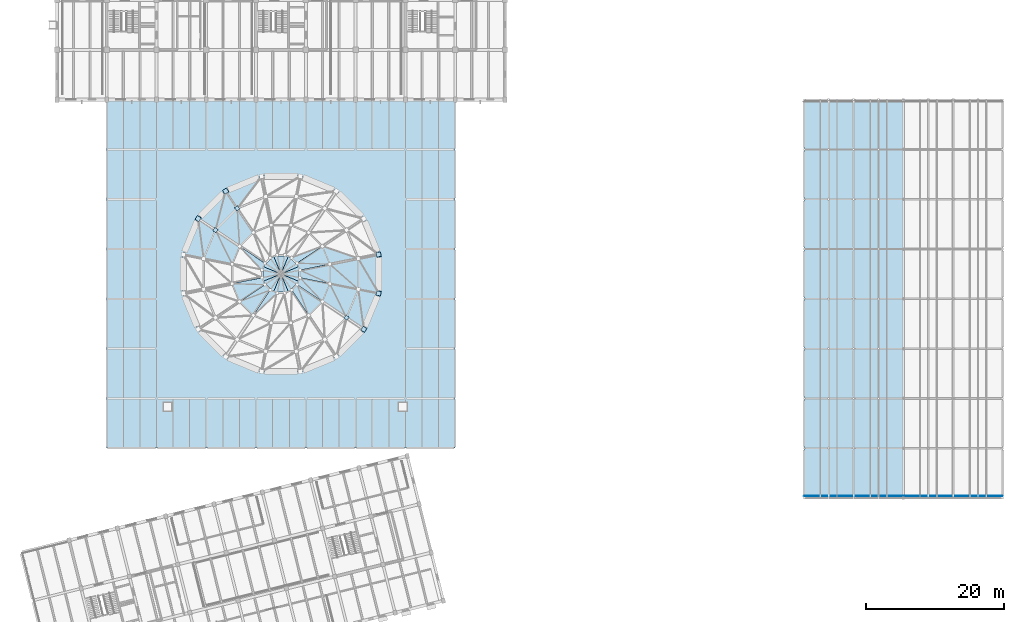
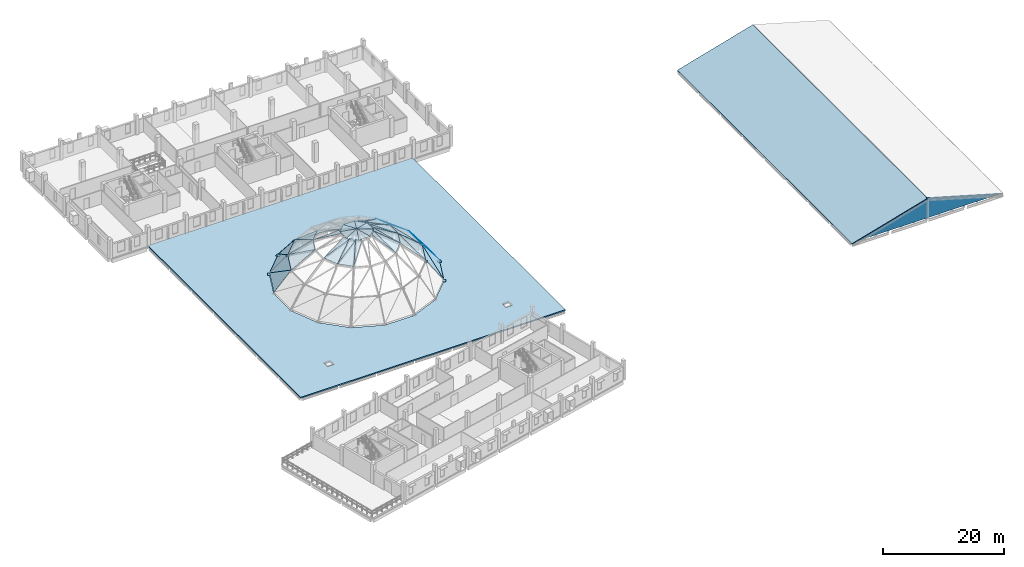
# One storey, part 15 of 32: 50 plates, 2 slabs, 2 openings.
"""IFC4 building model written with IfcOpenShell, lengths in metres."""

from ifc_helpers import new_model, si_unit, direction, frame, origin, origin_2d, place, context, subcontext, project, spatial, polyline, rectangle, outline, extrude, material, layer, layer_set, type_object, element, save


model = new_model("IFC4")

# Units and contexts
model_context = context("Model", 3, precision=1e-05, world=origin(), true_north=direction((0.0, 1.0)))
body_context = subcontext(model_context, "Body", "Model", "MODEL_VIEW")
ifc_project = project(units=[si_unit("LENGTHUNIT", "METRE"), si_unit("AREAUNIT", "SQUARE_METRE"), si_unit("VOLUMEUNIT", "CUBIC_METRE"), si_unit("PLANEANGLEUNIT", "RADIAN"), si_unit("MASSUNIT", "GRAM", prefix="KILO")], contexts=[model_context])

# Site, building, storey
site_placement = place(None, origin())
site = spatial("IfcSite", under=ifc_project, at=site_placement, CompositionType="ELEMENT")
building_placement = place(site_placement, origin())
building = spatial("IfcBuilding", under=site, at=building_placement, Name="Qiaolan Assembly House", CompositionType="ELEMENT")
storey_placement = place(building_placement, frame((0.0, 0.0, 18.60009765625)))
storey = spatial("IfcBuildingStorey", under=building, at=storey_placement, Name="L04", CompositionType="ELEMENT", Elevation=18.60009765625)

# Plates
ifc_material_1 = material(Name="Low-E tempered safety skylight glass", Category="glass")
ifc_layer_1 = layer(ifc_material_1, 0.037109375)
ifc_layer_set_1 = layer_set([ifc_layer_1], Name="Low-E tempered safety skylight glass")
plate_type_1 = type_object("IfcPlateType", Name="PLT-DOME-GLAZ-CROWN", PredefinedType="SHEET", material=ifc_layer_set_1)
plate_1_placement = place(storey_placement, frame((70.98681640625, 62.271484375, 9.47998046875), z_axis=(0.092101540176, 0.092101540176, 0.991481019785), x_axis=(-0.707106781187, 0.707106781187, 0.0)))
element("IfcPlate", 1, at=plate_1_placement, inside=storey, type_object=plate_type_1, Name="DP-03 Council Chamber Dome Daylight Oculus Glazing 1", PredefinedType="SHEET", context=body_context, shape_type="SweptSolid", body=[
    extrude(outline(polyline([(0.0, 0.0), (2.143072163488721, 0.0), (1.0715360817443607, 2.609140082880485), (0.0, 0.0)])), origin(), (0.0, 0.0, -1.0), 0.037109375),
])
plate_2_placement = place(storey_placement, frame((69.471435546875, 63.786865234375, 9.47998046875), z_axis=(0.0, 0.130251188216, 0.991481027538), x_axis=(-1.0, 0.0, 0.0)))
element("IfcPlate", 2, at=plate_2_placement, inside=storey, type_object=plate_type_1, Name="DP-03 Council Chamber Dome Daylight Oculus Glazing 2", PredefinedType="SHEET", context=body_context, shape_type="SweptSolid", body=[
    extrude(outline(polyline([(0.0, 0.0), (2.14306640625, 0.0), (1.071533203125, 2.6091412650859507), (0.0, 0.0)])), origin(), (0.0, 0.0, -1.0), 0.037109375),
])
plate_3_placement = place(storey_placement, frame((67.328369140625, 63.786865234375, 9.47998046875), z_axis=(-0.092111981509, 0.092097141492, 0.991480458401), x_axis=(-0.707049813873, -0.707163743911, 0.0)))
element("IfcPlate", 3, at=plate_3_placement, inside=storey, type_object=plate_type_1, Name="DP-03 Council Chamber Dome Daylight Oculus Glazing 3", PredefinedType="SHEET", context=body_context, shape_type="SweptSolid", body=[
    extrude(outline(polyline([(0.0, 0.0), (2.1428995369509583, 0.0), (1.0717444817846324, 2.6090544862723415), (0.0, 0.0)])), origin(), (0.0, 0.0, -1.0), 0.037109375),
])
plate_4_placement = place(storey_placement, frame((65.813232421875, 62.271484375, 9.47998046875), z_axis=(-0.130263273267, 0.0, 0.991479439846), x_axis=(0.0, -1.0, 0.0)))
element("IfcPlate", 4, at=plate_4_placement, inside=storey, type_object=plate_type_1, Name="DP-03 Council Chamber Dome Daylight Oculus Glazing 4", PredefinedType="SHEET", context=body_context, shape_type="SweptSolid", body=[
    extrude(outline(polyline([(0.0, 0.0), (2.14306640625, 0.0), (1.071533203125, 2.608899204482013), (0.0, 0.0)])), origin(), (0.0, 0.0, -1.0), 0.037109375),
])
plate_5_placement = place(storey_placement, frame((65.813232421875, 60.12841796875, 9.47998046875), z_axis=(-0.092111981509, -0.092097141492, 0.991480458401), x_axis=(0.707049813873, -0.707163743911, 0.0)))
element("IfcPlate", 5, at=plate_5_placement, inside=storey, type_object=plate_type_1, Name="DP-03 Council Chamber Dome Daylight Oculus Glazing 5", PredefinedType="SHEET", context=body_context, shape_type="SweptSolid", body=[
    extrude(outline(polyline([(0.0, 0.0), (2.1428995369509583, 0.0), (1.0711550551663258, 2.6090544862723415), (0.0, 0.0)])), origin(), (0.0, 0.0, -1.0), 0.037109375),
])
plate_6_placement = place(storey_placement, frame((67.328369140625, 58.613037109375, 9.47998046875), z_axis=(0.0, -0.130251188216, 0.991481027538), x_axis=(1.0, 0.0, 0.0)))
element("IfcPlate", 6, at=plate_6_placement, inside=storey, type_object=plate_type_1, Name="DP-03 Council Chamber Dome Daylight Oculus Glazing 6", PredefinedType="SHEET", context=body_context, shape_type="SweptSolid", body=[
    extrude(outline(polyline([(0.0, 0.0), (2.14306640625, 0.0), (1.071533203125, 2.6091412650859507), (0.0, 0.0)])), origin(), (0.0, 0.0, -1.0), 0.037109375),
])
plate_7_placement = place(storey_placement, frame((69.471435546875, 58.613037109375, 9.47998046875), z_axis=(0.092101540176, -0.092101540176, 0.991481019785), x_axis=(0.707106781187, 0.707106781187, 0.0)))
element("IfcPlate", 7, at=plate_7_placement, inside=storey, type_object=plate_type_1, Name="DP-03 Council Chamber Dome Daylight Oculus Glazing 7", PredefinedType="SHEET", context=body_context, shape_type="SweptSolid", body=[
    extrude(outline(polyline([(0.0, 0.0), (2.143072163488721, 0.0), (1.0715360817443607, 2.609140082880485), (0.0, 0.0)])), origin(), (0.0, 0.0, -1.0), 0.037109375),
])
plate_8_placement = place(storey_placement, frame((70.98681640625, 60.12841796875, 9.47998046875), z_axis=(0.130251188216, 0.0, 0.991481027538), x_axis=(0.0, 1.0, 0.0)))
element("IfcPlate", 8, at=plate_8_placement, inside=storey, type_object=plate_type_1, Name="DP-03 Council Chamber Dome Daylight Oculus Glazing 8", PredefinedType="SHEET", context=body_context, shape_type="SweptSolid", body=[
    extrude(outline(polyline([(0.0, 0.0), (2.14306640625, 0.0), (1.071533203125, 2.6091412650859507), (0.0, 0.0)])), origin(), (0.0, 0.0, -1.0), 0.037109375),
])
ifc_material_2 = material(Name="Patinated standing-seam zinc")
ifc_layer_2 = layer(ifc_material_2, 0.054931640625)
ifc_layer_set_2 = layer_set([ifc_layer_2], Name="Patinated standing-seam zinc")
plate_type_2 = type_object("IfcPlateType", Name="PLT-DOME-ZINC-LOWER", PredefinedType="SHEET", material=ifc_layer_set_2)
plate_9_placement = place(storey_placement, frame((65.5908203125, 75.3232421875, 0.27978515625), z_axis=(-0.302585775262, 0.73050740929, 0.612209746396), x_axis=(-0.923879667137, -0.38268310735, 0.0)))
element("IfcPlate", 9, at=plate_9_placement, inside=storey, type_object=plate_type_2, Name="DP-01 dome standing-seam cladding facet T0-5A", PredefinedType="SHEET", context=body_context, shape_type="SweptSolid", body=[
    extrude(outline(polyline([(0.0, 0.0), (5.618608303001892, 2.220446049250313e-16), (5.033518141849056, 4.805957888702828), (0.0, 0.0)])), origin(), (0.0, 0.0, -1.0), 0.054931640625),
])
plate_10_placement = place(storey_placement, frame((60.39990234375, 73.173095703125, 0.27978515625), z_axis=(-0.559082282879, 0.559116639315, 0.612221842645), x_axis=(-0.707128506566, -0.70708505514, 0.0)))
element("IfcPlate", 10, at=plate_10_placement, inside=storey, type_object=plate_type_2, Name="DP-01 dome standing-seam cladding facet T0-6A", PredefinedType="SHEET", context=body_context, shape_type="SweptSolid", body=[
    extrude(outline(polyline([(0.0, 0.0), (5.618702250522808, 2.220446049250313e-16), (5.033384311034712, 4.806014816518079), (0.0, 0.0)])), origin(), (0.0, 0.0, -1.0), 0.054931640625),
])
plate_11_placement = place(storey_placement, frame((60.39990234375, 73.173095703125, 0.27978515625), z_axis=(-0.559110475923, 0.559110475923, 0.612201724456), x_axis=(-0.212484924958, -0.810368460713, 0.546033986623)))
element("IfcPlate", 11, at=plate_11_placement, inside=storey, type_object=plate_type_2, Name="DP-01 dome standing-seam cladding facet T0-6B", PredefinedType="SHEET", context=body_context, shape_type="SweptSolid", body=[
    extrude(outline(polyline([(0.0, 0.0), (6.959363192071649, 0.0), (3.7422195964661333, 3.071702169235753), (0.0, 0.0)])), origin(), (0.0, 0.0, -1.0), 0.054931640625),
])
plate_12_placement = place(storey_placement, frame((56.4267578125, 69.2001953125, 0.27978515625), z_axis=(-0.730497964961, 0.302581863297, 0.612222948926), x_axis=(-0.38268310735, -0.923879667137, 0.0)))
element("IfcPlate", 12, at=plate_12_placement, inside=storey, type_object=plate_type_2, Name="DP-01 dome standing-seam cladding facet T0-7A", PredefinedType="SHEET", context=body_context, shape_type="SweptSolid", body=[
    extrude(outline(polyline([(0.0, 0.0), (5.618608303001892, 2.220446049250313e-16), (5.033267178086251, 4.806020023093471), (0.0, 0.0)])), origin(), (0.0, 0.0, -1.0), 0.054931640625),
])
plate_13_placement = place(storey_placement, frame((56.4267578125, 69.2001953125, 0.27978515625), z_axis=(-0.730499362406, 0.302580890844, 0.612221762126), x_axis=(0.113838801187, -0.829988350475, 0.546040351458)))
element("IfcPlate", 13, at=plate_13_placement, inside=storey, type_object=plate_type_2, Name="DP-01 dome standing-seam cladding facet T0-7B", PredefinedType="SHEET", context=body_context, shape_type="SweptSolid", body=[
    extrude(outline(polyline([(0.0, 0.0), (6.959282071332912, 0.0), (3.7423192311680897, 3.0717132481576748), (0.0, 0.0)])), origin(), (0.0, 0.0, -1.0), 0.054931640625),
])
plate_14_placement = place(storey_placement, frame((80.373046875, 53.19970703125, 0.27978515625), z_axis=(0.730510260267, -0.302586956174, 0.612205760834), x_axis=(0.38268310735, 0.923879667137, 0.0)))
element("IfcPlate", 14, at=plate_14_placement, inside=storey, type_object=plate_type_2, Name="DP-01 dome standing-seam cladding facet T0-15A", PredefinedType="SHEET", context=body_context, shape_type="SweptSolid", body=[
    extrude(outline(polyline([(0.0, 0.0), (5.618608303001892, 2.220446049250313e-16), (5.033586163138615, 4.805939132394558), (0.0, 0.0)])), origin(), (0.0, 0.0, -1.0), 0.054931640625),
])
plate_15_placement = place(storey_placement, frame((80.373046875, 53.19970703125, 0.27978515625), z_axis=(0.730488756682, -0.30260191887, 0.612224023588), x_axis=(-0.113800860718, 0.830002578479, 0.546026632884)))
element("IfcPlate", 15, at=plate_15_placement, inside=storey, type_object=plate_type_2, Name="DP-01 dome standing-seam cladding facet T0-15B", PredefinedType="SHEET", context=body_context, shape_type="SweptSolid", body=[
    extrude(outline(polyline([(0.0, 0.0), (6.95945691889977, -4.440892098500626e-16), (3.742196176284966, 3.071863161841048), (0.0, 0.0)])), origin(), (0.0, 0.0, -1.0), 0.054931640625),
])
plate_16_placement = place(storey_placement, frame((82.523193359375, 58.390625, 0.27978515625), z_axis=(0.79070704931, 0.0, 0.612194709363), x_axis=(0.0, 1.0, 0.0)))
element("IfcPlate", 16, at=plate_16_placement, inside=storey, type_object=plate_type_2, Name="DP-01 dome standing-seam cladding facet T0-16A", PredefinedType="SHEET", context=body_context, shape_type="SweptSolid", body=[
    extrude(outline(polyline([(0.0, 0.0), (5.61865234375, 0.0), (5.033447265625, 4.805887125253419), (0.0, 0.0)])), origin(), (0.0, 0.0, -1.0), 0.054931640625),
])
plate_17_placement = place(storey_placement, frame((82.523193359375, 58.390625, 0.27978515625), z_axis=(0.79070704931, 0.0, 0.612194709363), x_axis=(-0.422762344858, 0.723267053684, 0.546037332812)))
element("IfcPlate", 17, at=plate_17_placement, inside=storey, type_object=plate_type_2, Name="DP-01 dome standing-seam cladding facet T0-16B", PredefinedType="SHEET", context=body_context, shape_type="SweptSolid", body=[
    extrude(outline(polyline([(0.0, 0.0), (6.959320544169838, 0.0), (3.742230102013891, 3.0716470682669046), (0.0, 0.0)])), origin(), (0.0, 0.0, -1.0), 0.054931640625),
])
ifc_layer_3 = layer(ifc_material_2, 0.0458984375)
ifc_layer_set_3 = layer_set([ifc_layer_3], Name="Patinated standing-seam zinc")
plate_type_3 = type_object("IfcPlateType", Name="PLT-DOME-ZINC-MID", PredefinedType="SHEET", material=ifc_layer_set_3)
plate_18_placement = place(storey_placement, frame((79.5810546875, 63.424072265625, 4.079833984375), z_axis=(0.566759452362, 0.234785874161, 0.789721037109), x_axis=(-0.817482085104, 0.279512251216, 0.503583103325)))
element("IfcPlate", 18, at=plate_18_placement, inside=storey, type_object=plate_type_3, Name="DP-02 dome standing-seam cladding facet T1-1B", PredefinedType="SHEET", context=body_context, shape_type="SweptSolid", body=[
    extrude(outline(polyline([(0.0, 0.0), (6.354365646394442, 0.0), (4.749950156776227, 2.306144669414307), (0.0, 0.0)])), origin(), (0.0, 0.0, -1.0), 0.0458984375),
])
plate_19_placement = place(storey_placement, frame((62.06640625, 70.6787109375, 4.079833984375), z_axis=(-0.433794015714, 0.433794015714, 0.789712291826), x_axis=(-0.707106781187, -0.707106781187, 0.0)))
element("IfcPlate", 19, at=plate_19_placement, inside=storey, type_object=plate_type_3, Name="DP-02 dome standing-seam cladding facet T1-6A", PredefinedType="SHEET", context=body_context, shape_type="SweptSolid", body=[
    extrude(outline(polyline([(0.0, 0.0), (4.448074542005026, 0.0), (3.628583357851573, 5.216086647420347), (0.0, 0.0)])), origin(), (0.0, 0.0, -1.0), 0.0458984375),
])
plate_20_placement = place(storey_placement, frame((62.06640625, 70.6787109375, 4.079833984375), z_axis=(-0.433752714778, 0.43380602755, 0.789728379181), x_axis=(0.054598698225, -0.862206043743, 0.503606711914)))
element("IfcPlate", 20, at=plate_20_placement, inside=storey, type_object=plate_type_3, Name="DP-02 dome standing-seam cladding facet T1-6B", PredefinedType="SHEET", context=body_context, shape_type="SweptSolid", body=[
    extrude(outline(polyline([(0.0, 0.0), (6.354067759968746, -4.440892098500626e-16), (4.7499079053684525, 2.30621767134094), (0.0, 0.0)])), origin(), (0.0, 0.0, -1.0), 0.0458984375),
])
plate_21_placement = place(storey_placement, frame((58.921142578125, 67.533447265625, 4.079833984375), z_axis=(-0.566766352197, 0.234760872595, 0.789723517895), x_axis=(-0.382681432714, -0.923880360791, 0.0)))
element("IfcPlate", 21, at=plate_21_placement, inside=storey, type_object=plate_type_3, Name="DP-02 dome standing-seam cladding facet T1-7A", PredefinedType="SHEET", context=body_context, shape_type="SweptSolid", body=[
    extrude(outline(polyline([(0.0, 0.0), (4.447951460381362, -2.220446049250313e-16), (3.6285077779196544, 5.21620952219139), (0.0, 0.0)])), origin(), (0.0, 0.0, -1.0), 0.0458984375),
])
plate_22_placement = place(storey_placement, frame((58.921142578125, 67.533447265625, 4.079833984375), z_axis=(-0.566787286354, 0.234744090096, 0.789713482342), x_axis=(0.38041998698, -0.775671012741, 0.503602138101)))
element("IfcPlate", 22, at=plate_22_placement, inside=storey, type_object=plate_type_3, Name="DP-02 dome standing-seam cladding facet T1-7B", PredefinedType="SHEET", context=body_context, shape_type="SweptSolid", body=[
    extrude(outline(polyline([(0.0, 0.0), (6.354125468844909, 0.0), (4.749836080716411, 2.30611858338348), (0.0, 0.0)])), origin(), (0.0, 0.0, -1.0), 0.0458984375),
])
plate_23_placement = place(storey_placement, frame((77.878662109375, 54.866455078125, 4.079833984375), z_axis=(0.566761467462, -0.234778572602, 0.789721761665), x_axis=(0.38270887491, 0.923868993454, 0.0)))
element("IfcPlate", 23, at=plate_23_placement, inside=storey, type_object=plate_type_3, Name="DP-02 dome standing-seam cladding facet T1-15A", PredefinedType="SHEET", context=body_context, shape_type="SweptSolid", body=[
    extrude(outline(polyline([(0.0, 0.0), (4.448270447156563, 2.220446049250313e-16), (3.628704406063075, 5.216190298715421), (0.0, 0.0)])), origin(), (0.0, 0.0, -1.0), 0.0458984375),
])
plate_24_placement = place(storey_placement, frame((77.878662109375, 54.866455078125, 4.079833984375), z_axis=(0.566754775491, -0.234783936719, 0.789724969541), x_axis=(-0.38037578751, 0.775697653944, 0.503594489586)))
element("IfcPlate", 24, at=plate_24_placement, inside=storey, type_object=plate_type_3, Name="DP-02 dome standing-seam cladding facet T1-15B", PredefinedType="SHEET", context=body_context, shape_type="SweptSolid", body=[
    extrude(outline(polyline([(0.0, 0.0), (6.354221974324981, 4.440892098500626e-16), (4.7499087929564405, 2.3062158432553614), (0.0, 0.0)])), origin(), (0.0, 0.0, -1.0), 0.0458984375),
])
plate_25_placement = place(storey_placement, frame((79.5810546875, 58.97607421875, 4.079833984375), z_axis=(0.613460938515, 0.0, 0.789725064131), x_axis=(0.0, 1.0, 0.0)))
element("IfcPlate", 25, at=plate_25_placement, inside=storey, type_object=plate_type_3, Name="DP-02 dome standing-seam cladding facet T1-16A", PredefinedType="SHEET", context=body_context, shape_type="SweptSolid", body=[
    extrude(outline(polyline([(0.0, 0.0), (4.447998046875, 0.0), (3.628662109375, 5.216226447312992), (0.0, 0.0)])), origin(), (0.0, 0.0, -1.0), 0.0458984375),
])
plate_26_placement = place(storey_placement, frame((79.5810546875, 58.97607421875, 4.079833984375), z_axis=(0.613460938515, 0.0, 0.789725064131), x_axis=(-0.648290412816, 0.571062668505, 0.503594052082)))
element("IfcPlate", 26, at=plate_26_placement, inside=storey, type_object=plate_type_3, Name="DP-02 dome standing-seam cladding facet T1-16B", PredefinedType="SHEET", context=body_context, shape_type="SweptSolid", body=[
    extrude(outline(polyline([(0.0, 0.0), (6.354227494641764, -2.220446049250313e-16), (4.749926194231201, 2.306194024249222), (0.0, 0.0)])), origin(), (0.0, 0.0, -1.0), 0.0458984375),
])
plate_27_placement = place(storey_placement, frame((75.461669921875, 62.604736328125, 7.27978515625), z_axis=(0.4196283086, 0.173835299697, 0.890894702645), x_axis=(-0.382720195168, 0.923864304003, 0.0)))
element("IfcPlate", 27, at=plate_27_placement, inside=storey, type_object=plate_type_3, Name="DP-02 dome standing-seam cladding facet T2-1A", PredefinedType="SHEET", context=body_context, shape_type="SweptSolid", body=[
    extrude(outline(polyline([(0.0, 0.0), (2.809350868011128, 1.1102230246251565e-16), (1.9510522470659009, 4.844005681680728), (0.0, 0.0)])), origin(), (0.0, 0.0, -1.0), 0.0458984375),
])
plate_28_placement = place(storey_placement, frame((75.461669921875, 62.604736328125, 7.27978515625), z_axis=(0.419626154824, 0.173879923371, 0.890887008793), x_axis=(-0.906452317212, 0.028892028059, 0.421318700434)))
element("IfcPlate", 28, at=plate_28_placement, inside=storey, type_object=plate_type_3, Name="DP-02 dome standing-seam cladding facet T2-1B", PredefinedType="SHEET", context=body_context, shape_type="SweptSolid", body=[
    extrude(outline(polyline([(0.0, 0.0), (5.222163911151781, 5.551115123125783e-17), (4.813913798021777, 1.0133482242651404), (0.0, 0.0)])), origin(), (0.0, 0.0, -1.0), 0.0458984375),
])
plate_29_placement = place(storey_placement, frame((74.386474609375, 65.2001953125, 7.27978515625), z_axis=(0.321175309258, 0.321175309258, 0.890894405329), x_axis=(-0.848500028384, -0.320203685845, 0.421328021147)))
element("IfcPlate", 29, at=plate_29_placement, inside=storey, type_object=plate_type_3, Name="DP-02 dome standing-seam cladding facet T2-2B", PredefinedType="SHEET", context=body_context, shape_type="SweptSolid", body=[
    extrude(outline(polyline([(0.0, 0.0), (5.22204838527104, 0.0), (4.8139600972356, 1.0133389112705884), (0.0, 0.0)])), origin(), (0.0, 0.0, -1.0), 0.0458984375),
])
plate_30_placement = place(storey_placement, frame((62.413330078125, 65.2001953125, 7.27978515625), z_axis=(-0.419655650809, 0.173790632362, 0.890890538084), x_axis=(0.620527554505, -0.661388029351, 0.421321051849)))
element("IfcPlate", 30, at=plate_30_placement, inside=storey, type_object=plate_type_3, Name="DP-02 dome standing-seam cladding facet T2-7B", PredefinedType="SHEET", context=body_context, shape_type="SweptSolid", body=[
    extrude(outline(polyline([(0.0, 0.0), (5.222134765975998, 6.661338147750939e-16), (4.813971938821303, 1.0132826550931906), (0.0, 0.0)])), origin(), (0.0, 0.0, -1.0), 0.0458984375),
])
plate_31_placement = place(storey_placement, frame((61.33837890625, 59.79541015625, 7.27978515625), z_axis=(-0.419654794363, -0.173806797063, 0.890887788031), x_axis=(0.382646017682, -0.923895029293, 0.0)))
element("IfcPlate", 31, at=plate_31_placement, inside=storey, type_object=plate_type_3, Name="DP-02 dome standing-seam cladding facet T2-9A", PredefinedType="SHEET", context=body_context, shape_type="SweptSolid", body=[
    extrude(outline(polyline([(0.0, 0.0), (2.809257439518198, -1.1102230246251565e-16), (1.9508378940307016, 4.843861049595153), (0.0, 0.0)])), origin(), (0.0, 0.0, -1.0), 0.0458984375),
])
plate_32_placement = place(storey_placement, frame((61.33837890625, 59.79541015625, 7.27978515625), z_axis=(-0.419657560637, -0.173749393908, 0.890897682069), x_axis=(0.906442753488, -0.028939966186, 0.42133598589)))
element("IfcPlate", 32, at=plate_32_placement, inside=storey, type_object=plate_type_3, Name="DP-02 dome standing-seam cladding facet T2-9B", PredefinedType="SHEET", context=body_context, shape_type="SweptSolid", body=[
    extrude(outline(polyline([(0.0, 0.0), (5.221949670053437, 0.0), (4.813869407809825, 1.0135590771920748), (0.0, 0.0)])), origin(), (0.0, 0.0, -1.0), 0.0458984375),
])
plate_33_placement = place(storey_placement, frame((62.413330078125, 57.199951171875, 7.27978515625), z_axis=(-0.321175309258, -0.321175309258, 0.890894405329), x_axis=(0.707106781187, -0.707106781187, 0.0)))
element("IfcPlate", 33, at=plate_33_placement, inside=storey, type_object=plate_type_3, Name="DP-02 dome standing-seam cladding facet T2-10A", PredefinedType="SHEET", context=body_context, shape_type="SweptSolid", body=[
    extrude(outline(polyline([(0.0, 0.0), (2.809437440681122, 0.0), (1.9511037209400295, 4.843999462471798), (0.0, 0.0)])), origin(), (0.0, 0.0, -1.0), 0.0458984375),
])
plate_34_placement = place(storey_placement, frame((62.413330078125, 57.199951171875, 7.27978515625), z_axis=(-0.321142769823, -0.321244268802, 0.890881272198), x_axis=(0.848525821063, 0.320149026041, 0.421317614293)))
element("IfcPlate", 34, at=plate_34_placement, inside=storey, type_object=plate_type_3, Name="DP-02 dome standing-seam cladding facet T2-10B", PredefinedType="SHEET", context=body_context, shape_type="SweptSolid", body=[
    extrude(outline(polyline([(0.0, 0.0), (5.222177373691274, -5.551115123125783e-17), (4.813819779630667, 1.0134165545798899), (0.0, 0.0)])), origin(), (0.0, 0.0, -1.0), 0.0458984375),
])
plate_35_placement = place(storey_placement, frame((64.39990234375, 55.21337890625, 7.27978515625), z_axis=(-0.173790632362, -0.419655650809, 0.890890538084), x_axis=(0.661388029351, 0.620527554505, 0.421321051849)))
element("IfcPlate", 35, at=plate_35_placement, inside=storey, type_object=plate_type_3, Name="DP-02 dome standing-seam cladding facet T2-11B", PredefinedType="SHEET", context=body_context, shape_type="SweptSolid", body=[
    extrude(outline(polyline([(0.0, 0.0), (5.222134765975998, 6.661338147750939e-16), (4.813971938821303, 1.0132826550931906), (0.0, 0.0)])), origin(), (0.0, 0.0, -1.0), 0.0458984375),
])
plate_36_placement = place(storey_placement, frame((72.400146484375, 55.21337890625, 7.27978515625), z_axis=(0.321202127494, -0.321162653225, 0.890889299221), x_axis=(0.70706332709, 0.707150232612, 0.0)))
element("IfcPlate", 36, at=plate_36_placement, inside=storey, type_object=plate_type_3, Name="DP-02 dome standing-seam cladding facet T2-14A", PredefinedType="SHEET", context=body_context, shape_type="SweptSolid", body=[
    extrude(outline(polyline([(0.0, 0.0), (2.8092648124939132, 0.0), (1.9510236436622994, 4.843892657768396), (0.0, 0.0)])), origin(), (0.0, 0.0, -1.0), 0.0458984375),
])
plate_37_placement = place(storey_placement, frame((72.400146484375, 55.21337890625, 7.27978515625), z_axis=(0.321175309258, -0.321175309258, 0.890894405329), x_axis=(-0.320203685845, 0.848500028384, 0.421328021147)))
element("IfcPlate", 37, at=plate_37_placement, inside=storey, type_object=plate_type_3, Name="DP-02 dome standing-seam cladding facet T2-14B", PredefinedType="SHEET", context=body_context, shape_type="SweptSolid", body=[
    extrude(outline(polyline([(0.0, 0.0), (5.22204838527104, 0.0), (4.8139600972356, 1.0133389112705884), (0.0, 0.0)])), origin(), (0.0, 0.0, -1.0), 0.0458984375),
])
plate_38_placement = place(storey_placement, frame((74.386474609375, 57.199951171875, 7.27978515625), z_axis=(0.419636114317, -0.173838533294, 0.890890395), x_axis=(0.382720195168, 0.923864304003, 0.0)))
element("IfcPlate", 38, at=plate_38_placement, inside=storey, type_object=plate_type_3, Name="DP-02 dome standing-seam cladding facet T2-15A", PredefinedType="SHEET", context=body_context, shape_type="SweptSolid", body=[
    extrude(outline(polyline([(0.0, 0.0), (2.809350868011128, -1.1102230246251565e-16), (1.9507924507963836, 4.8439155775710505), (0.0, 0.0)])), origin(), (0.0, 0.0, -1.0), 0.0458984375),
])
plate_39_placement = place(storey_placement, frame((74.386474609375, 57.199951171875, 7.27978515625), z_axis=(0.419633827922, -0.173841051325, 0.890890980613), x_axis=(-0.620498803863, 0.661407216565, 0.421333274594)))
element("IfcPlate", 39, at=plate_39_placement, inside=storey, type_object=plate_type_3, Name="DP-02 dome standing-seam cladding facet T2-15B", PredefinedType="SHEET", context=body_context, shape_type="SweptSolid", body=[
    extrude(outline(polyline([(0.0, 0.0), (5.221983273500562, 5.551115123125783e-17), (4.813779076850449, 1.0136098771898674), (0.0, 0.0)])), origin(), (0.0, 0.0, -1.0), 0.0458984375),
])
plate_40_placement = place(storey_placement, frame((75.461669921875, 59.79541015625, 7.27978515625), z_axis=(0.454215685423, 0.0, 0.890891750504), x_axis=(0.0, 1.0, 0.0)))
element("IfcPlate", 40, at=plate_40_placement, inside=storey, type_object=plate_type_3, Name="DP-02 dome standing-seam cladding facet T2-16A", PredefinedType="SHEET", context=body_context, shape_type="SweptSolid", body=[
    extrude(outline(polyline([(0.0, 0.0), (2.809326171875, 0.0), (1.950927734375, 4.843943930404576), (0.0, 0.0)])), origin(), (0.0, 0.0, -1.0), 0.0458984375),
])
plate_41_placement = place(storey_placement, frame((75.461669921875, 59.79541015625, 7.27978515625), z_axis=(0.454215685423, 0.0, 0.890891750504), x_axis=(-0.826384529088, 0.373593503731, 0.421327074912)))
element("IfcPlate", 41, at=plate_41_placement, inside=storey, type_object=plate_type_3, Name="DP-02 dome standing-seam cladding facet T2-16B", PredefinedType="SHEET", context=body_context, shape_type="SweptSolid", body=[
    extrude(outline(polyline([(0.0, 0.0), (5.222060113179174, 2.7755575615628914e-16), (4.8138982652311935, 1.013422010028335), (0.0, 0.0)])), origin(), (0.0, 0.0, -1.0), 0.0458984375),
])
ifc_material_3 = material(Name="Steel Q355B", Category="steel")
ifc_layer_4 = layer(ifc_material_3, 0.0380859375)
ifc_layer_set_4 = layer_set([ifc_layer_4], Name="Steel Q355B")
plate_type_4 = type_object("IfcPlateType", Name="PLT-NODE-DN1-BASE", PredefinedType="SHEET", material=ifc_layer_set_4)
for number, where, z_axis, x_axis, name in (
    (42, (82.523193359375, 64.00927734375, -0.01904296875), (0.0, 0.0, 1.0), (0.980785280403, 0.195090322016, 0.0), "DN1 dome steel node and end-cap assembly T0-1"),
    (43, (60.39990234375, 73.173095703125, -0.01904296875), (0.0, 0.0, 1.0), (-0.55557023302, 0.831469612303, 0.0), "DN1 dome steel node and end-cap assembly T0-6"),
    (44, (56.4267578125, 69.2001953125, -0.01904296875), (0.0, 0.0, 1.0), (-0.831469612303, 0.55557023302, 0.0), "DN1 dome steel node and end-cap assembly T0-7"),
    (45, (80.373046875, 53.19970703125, -0.01904296875), (0.0, 0.0, 1.0), (0.831469612303, -0.55557023302, 0.0), "DN1 dome steel node and end-cap assembly T0-15"),
    (46, (82.523193359375, 58.390625, -0.01904296875), (0.0, 0.0, 1.0), (0.980785280403, -0.195090322016, 0.0), "DN1 dome steel node and end-cap assembly T0-16"),
):
    element("IfcPlate", number, at=place(storey_placement, frame(where, z_axis=z_axis, x_axis=x_axis)), inside=storey, type_object=plate_type_4, Name=name, PredefinedType="SHEET", context=body_context, shape_type="SweptSolid", body=[
        extrude(rectangle(XDim=0.64990234375, YDim=0.64990234375, at=origin_2d()), origin(), (0.0, 0.0, 1.0), 0.0380859375),
    ])
ifc_layer_5 = layer(ifc_material_3, 0.034912109375)
ifc_layer_set_5 = layer_set([ifc_layer_5], Name="Steel Q355B")
plate_type_5 = type_object("IfcPlateType", Name="PLT-NODE-DN2-RING", PredefinedType="SHEET", material=ifc_layer_set_5)
for number, where, z_axis, x_axis, name in (
    (47, (62.06640625, 70.6787109375, 3.7822265625), (0.0, 0.0, 1.0), (-0.55557023302, 0.831469612303, 0.0), "DN2 dome steel node and end-cap assembly T1-6"),
    (48, (58.921142578125, 67.533447265625, 3.7822265625), (0.0, 0.0, 1.0), (-0.831469612303, 0.55557023302, 0.0), "DN2 dome steel node and end-cap assembly T1-7"),
    (49, (77.878662109375, 54.866455078125, 3.7822265625), (0.0, 0.0, 1.0), (0.831469612303, -0.55557023302, 0.0), "DN2 dome steel node and end-cap assembly T1-15"),
):
    element("IfcPlate", number, at=place(storey_placement, frame(where, z_axis=z_axis, x_axis=x_axis)), inside=storey, type_object=plate_type_5, Name=name, PredefinedType="SHEET", context=body_context, shape_type="SweptSolid", body=[
        extrude(rectangle(XDim=0.56005859375, YDim=0.56005859375, at=origin_2d()), origin(), (0.0, 0.0, 1.0), 0.034912109375),
    ])
ifc_material_4 = material(Name="Honed pale limestone", Category="masonry")
ifc_layer_6 = layer(ifc_material_4, 0.080078125)
ifc_layer_set_6 = layer_set([ifc_layer_6], Name="Honed pale limestone")
plate_type_6 = type_object("IfcPlateType", Name="PLT-WINBOX-SURROUND", PredefinedType="SHEET", material=ifc_layer_set_6)
plate_42_placement = place(storey_placement, frame((144.0, 29.02001953125, -0.02001953125), z_axis=(0.0, -1.0, 0.0), x_axis=(1.0, 0.0, 0.0)))
element("IfcPlate", 50, at=plate_42_placement, inside=storey, type_object=plate_type_6, Name="WB-01 Library South Pedimental Limestone Gable Tympanum", PredefinedType="SHEET", context=body_context, shape_type="SweptSolid", body=[
    extrude(outline(polyline([(0.0, 0.0), (28.800048828125, 0.0), (14.39990234375, 4.14892578125), (0.0, 0.0)])), origin(), (0.0, 0.0, -1.0), 0.074951171875),
])

# Slab
ifc_material_5 = material(Name="Concrete C40/50", Category="concrete")
ifc_layer_7 = layer(ifc_material_5, 0.175048828125)
ifc_layer_set_7 = layer_set([ifc_layer_7], Name="Concrete C40/50")
slab_type_1 = type_object("IfcSlabType", Name="SLB-ROOF-HIP-175", PredefinedType="ROOF", material=ifc_layer_set_7)
slab_1_placement = place(storey_placement, frame((144.0, 28.800048828125, 0.0), z_axis=(-0.275632515805, 0.0, 0.961263083776), x_axis=(0.961263083776, 0.0, 0.275632515805)))
element("IfcSlab", 51, at=slab_1_placement, inside=storey, type_object=slab_type_1, Name="RS-04 East Library Neoclassical Pitched Roof West Slope (16 deg)", PredefinedType="ROOF", context=body_context, shape_type="SweptSolid", body=[
    extrude(outline(polyline([(0.0, 0.0), (14.928376943256177, 0.0), (14.928376943256177, 57.599853515625014), (0.0, 57.599853515625014), (0.0, 0.0)])), origin(), (0.0, 0.0, -1.0), 0.175048828125),
])

# Slab, openings
ifc_layer_8 = layer(ifc_material_5, 0.2451171875)
ifc_layer_set_8 = layer_set([ifc_layer_8], Name="Concrete C40/50")
slab_type_2 = type_object("IfcSlabType", Name="SLB-ROOF-MAIN-245", PredefinedType="ROOF", material=ifc_layer_set_8)
slab_2_placement = place(storey_placement, frame((0.0, 0.0, -0.2451171875)))
slab_2 = element("IfcSlab", 52, at=slab_2_placement, inside=storey, type_object=slab_type_2, Name="RS-01 Central Concourse Ring Roof Slab L04", PredefinedType="ROOF", context=body_context, shape_type="SweptSolid", body=[
    extrude(outline(polyline([(43.199951171875, 36.0), (93.60009765625, 36.0), (93.60009765625, 86.39990234375), (43.199951171875, 86.39990234375), (43.199951171875, 36.0)]), holes=[polyline([(82.54296875, 58.38671875), (80.389892578125, 53.188720703125), (76.411376953125, 49.210205078125), (71.213134765625, 47.05712890625), (65.5869140625, 47.05712890625), (60.388671875, 49.210205078125), (56.41015625, 53.188720703125), (54.257080078125, 58.38671875), (54.257080078125, 64.01318359375), (56.41015625, 69.21142578125), (60.388671875, 73.189697265625), (65.5869140625, 75.343017578125), (71.213134765625, 75.343017578125), (76.411376953125, 73.189697265625), (80.389892578125, 69.21142578125), (82.54296875, 64.01318359375), (82.54296875, 58.38671875)]), polyline([(51.4599609375, 41.4599609375), (51.4599609375, 42.5400390625), (52.5400390625, 42.5400390625), (52.5400390625, 41.4599609375), (51.4599609375, 41.4599609375)]), polyline([(85.4599609375, 41.4599609375), (85.4599609375, 42.5400390625), (86.5400390625, 42.5400390625), (86.5400390625, 41.4599609375), (85.4599609375, 41.4599609375)])]), origin(), (0.0, 0.0, 1.0), 0.2451171875),
])
opening_1_placement = place(storey_placement, frame((52.0, 42.0, -0.25)))
element("IfcOpeningElement", 53, at=opening_1_placement, cuts=slab_2, Name="Roof hatch slab opening HTH-HL-4", PredefinedType="OPENING", context=body_context, shape_type="SweptSolid", body=[
    extrude(rectangle(XDim=1.08, YDim=1.08, at=origin_2d()), frame((0.0, 0.0, -0.050048828125)), (0.0, 0.0, 1.0), 0.35009765625),
])
opening_2_placement = place(storey_placement, frame((86.0, 42.0, -0.25)))
element("IfcOpeningElement", 54, at=opening_2_placement, cuts=slab_2, Name="Roof hatch slab opening HTH-HL-5", PredefinedType="OPENING", context=body_context, shape_type="SweptSolid", body=[
    extrude(rectangle(XDim=1.08, YDim=1.08, at=origin_2d()), frame((0.0, 0.0, -0.050048828125)), (0.0, 0.0, 1.0), 0.35009765625),
])

save(model, "model.ifc")
